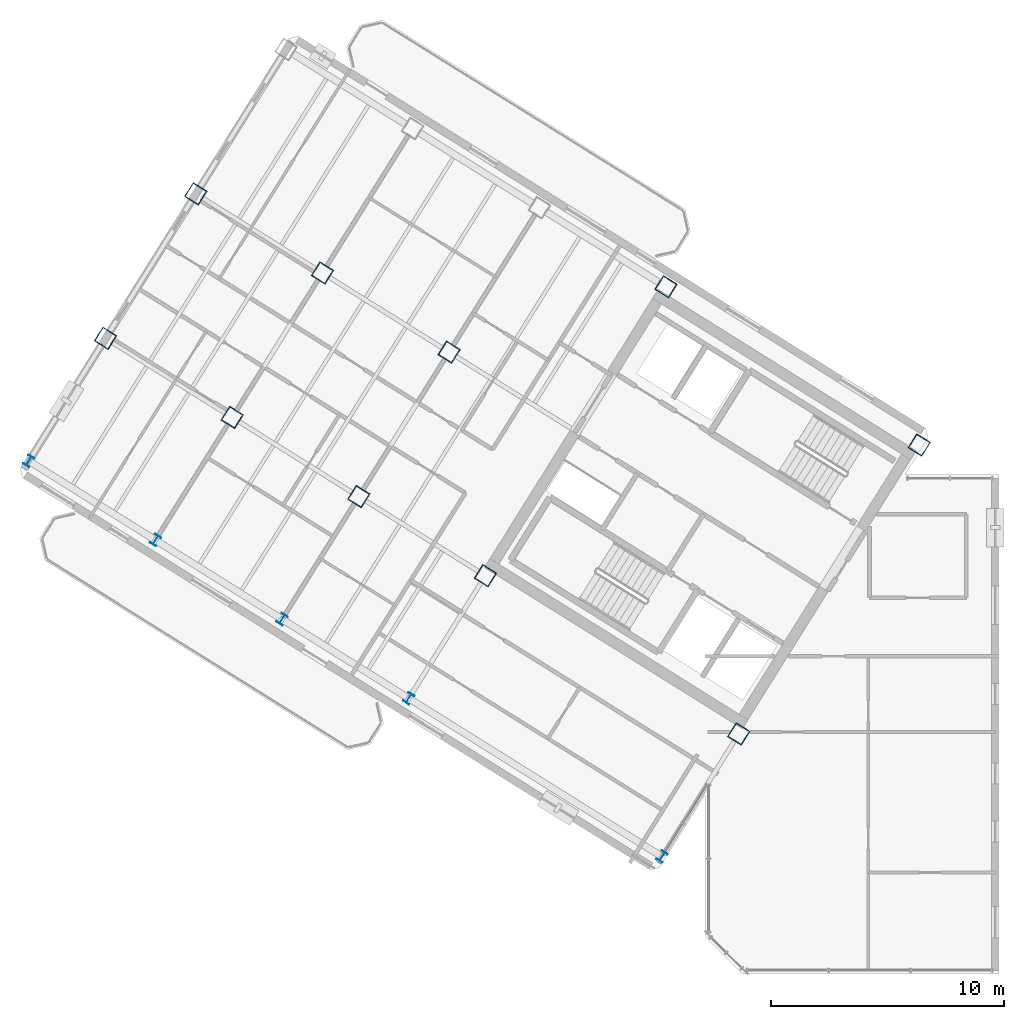
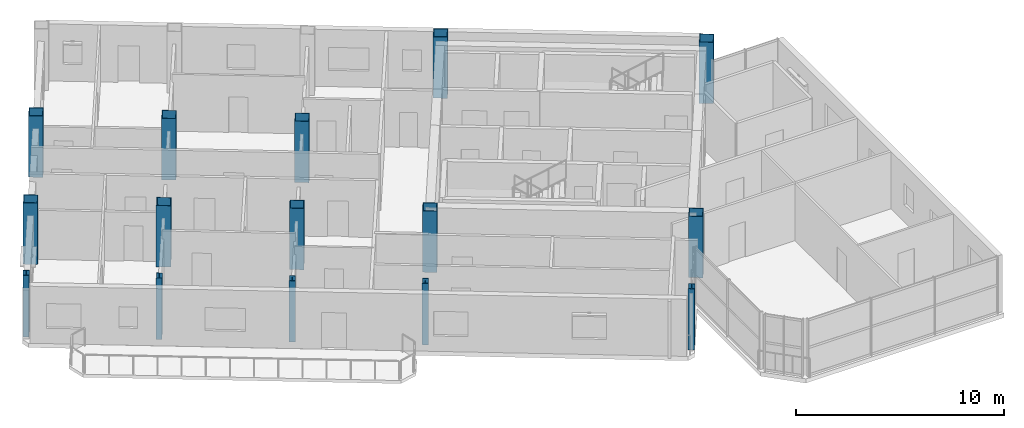
# One storey, part 1 of 15: 15 columns.
"""IFC4 building model written with IfcOpenShell, lengths in metres."""

import ifcopenshell
import ifcopenshell.guid

model = None  # the IFC model being written
_history = None  # IfcOwnerHistory: only IFC2X3 demands one
_inside = {}  # id of a spatial element -> (the spatial element, [elements in it])
_under = {}  # id of a project, library or spatial element -> (it, [spatial elements below it])
_declared = {}  # id of a project -> (the project, [libraries it declares])
_typed = {}  # id of a type object -> (the type object, [elements of that type])
_made_of = {}  # id of a material, layer set ... -> (it, [elements and type objects made of it])


def new_model(schema):
    """Start an empty IFC model of exactly this schema.

    Asked for "IFC4X3", IfcOpenShell would pick the latest addendum, in which some entities
    have other attributes; the version numbers below select the first issue.
    IFC2X3 requires an IfcOwnerHistory on every rooted entity: one is made here for all.
    """
    global model, _history
    if schema == "IFC4X3":
        model = ifcopenshell.file(schema_version=(4, 3, 0, 0))
    else:
        model = ifcopenshell.file(schema=schema)
    _inside.clear()
    _under.clear()
    _declared.clear()
    _typed.clear()
    _made_of.clear()
    _history = None
    if model.schema == "IFC2X3":
        org = make("IfcOrganization", Name="unknown")
        user = make(
            "IfcPersonAndOrganization",
            ThePerson=make("IfcPerson", FamilyName="unknown"),
            TheOrganization=org,
        )
        app = make(
            "IfcApplication",
            ApplicationDeveloper=org,
            Version="unknown",
            ApplicationFullName="unknown",
            ApplicationIdentifier="unknown",
        )
        _history = make(
            "IfcOwnerHistory",
            OwningUser=user,
            OwningApplication=app,
            ChangeAction="ADDED",
            CreationDate=0,
        )
    return model


def make(cls, **values):
    """One entity of the class cls with the attributes given. An attribute that is None is left unset."""
    return model.create_entity(
        cls, **{name: value for name, value in values.items() if value is not None}
    )


def rooted(cls, **values):
    """An entity with a GlobalId (a new one), such as an element, a storey or a relation."""
    return make(cls, GlobalId=ifcopenshell.guid.new(), OwnerHistory=_history, **values)


def si_unit(unit_type, name, prefix=None):
    """IfcSIUnit, for example si_unit("LENGTHUNIT", "METRE", prefix="MILLI")."""
    return make("IfcSIUnit", UnitType=unit_type, Prefix=prefix, Name=name)


def assignment(units):
    """IfcUnitAssignment: the units of a project."""
    return None if units is None else make("IfcUnitAssignment", Units=units)


def point(xyz):
    """IfcCartesianPoint."""
    return None if xyz is None else make("IfcCartesianPoint", Coordinates=xyz)


def direction(xyz):
    """IfcDirection."""
    return None if xyz is None else make("IfcDirection", DirectionRatios=xyz)


def frame(location, z_axis=None, x_axis=None):
    """IfcAxis2Placement3D, a coordinate frame: its origin and axes. An axis left out is left unset."""
    return make(
        "IfcAxis2Placement3D",
        Location=point(location),
        Axis=direction(z_axis),
        RefDirection=direction(x_axis),
    )


def frame_2d(location, x_axis=None):
    """IfcAxis2Placement2D, a coordinate frame in the plane: its origin and x axis."""
    return make(
        "IfcAxis2Placement2D", Location=point(location), RefDirection=direction(x_axis)
    )


def origin():
    """The frame at (0, 0, 0) with its axes left unset."""
    return frame((0.0, 0.0, 0.0))


def origin_2d():
    """The frame at (0, 0) in the plane with its x axis left unset."""
    return frame_2d((0.0, 0.0))


def place(relative_to, where):
    """IfcLocalPlacement: puts the frame where relative to a parent placement (None: the world)."""
    return make(
        "IfcLocalPlacement", PlacementRelTo=relative_to, RelativePlacement=where
    )


def context(
    kind, dimensions, precision=None, world=None, true_north=None, identifier=None
):
    """IfcGeometricRepresentationContext, for example the 3D "Model" context."""
    return make(
        "IfcGeometricRepresentationContext",
        ContextIdentifier=identifier,
        ContextType=kind,
        CoordinateSpaceDimension=dimensions,
        Precision=precision,
        WorldCoordinateSystem=world,
        TrueNorth=true_north,
    )


def subcontext(parent, identifier, kind, view, scale=None):
    """IfcGeometricRepresentationSubContext, for example "Body" below "Model"."""
    return make(
        "IfcGeometricRepresentationSubContext",
        ContextIdentifier=identifier,
        ContextType=kind,
        ParentContext=parent,
        TargetScale=scale,
        TargetView=view,
    )


def project(units=None, contexts=None):
    """IfcProject with its units and contexts."""
    return rooted(
        "IfcProject",
        Name="project",
        RepresentationContexts=contexts,
        UnitsInContext=assignment(units),
    )


def spatial(cls, under=None, at=None, **own):
    """A site, building, storey or space (cls), placed at a placement, below another one or the project."""
    s = rooted(cls, ObjectPlacement=at, **own)
    if under is not None:
        _under.setdefault(under.id(), (under, []))[1].append(s)
    return s


def profile(cls, at=None, kind="AREA", **sizes):
    """A parametric profile (cls). Its sizes go by their IFC names, for example OverallWidth=200.0."""
    return make(cls, ProfileType=kind, Position=at, **sizes)


def hollow_rectangle(**sizes):
    """IfcRectangleHollowProfileDef."""
    return profile("IfcRectangleHollowProfileDef", **sizes)


def i_section(**sizes):
    """IfcIShapeProfileDef."""
    return profile("IfcIShapeProfileDef", **sizes)


def extrude(swept, where, along, depth):
    """IfcExtrudedAreaSolid: the profile swept, set in the frame where, extruded along a direction by depth."""
    return make(
        "IfcExtrudedAreaSolid",
        SweptArea=swept,
        Position=where,
        ExtrudedDirection=direction(along),
        Depth=depth,
    )


def shape(context_of_items, identifier, shape_type, items):
    """IfcShapeRepresentation: the items that make up one representation, for example the "Body"."""
    return make(
        "IfcShapeRepresentation",
        ContextOfItems=context_of_items,
        RepresentationIdentifier=identifier,
        RepresentationType=shape_type,
        Items=items,
    )


def source(mapping_origin, context_of_items, identifier, shape_type, items):
    """IfcRepresentationMap: a shape defined once, which mapped items show again and again."""
    return make(
        "IfcRepresentationMap",
        MappingOrigin=mapping_origin,
        MappedRepresentation=shape(context_of_items, identifier, shape_type, items),
    )


def transform(
    local_origin,
    x_axis=None,
    y_axis=None,
    z_axis=None,
    scale=None,
    scale2=None,
    scale3=None,
    uniform=True,
):
    """IfcCartesianTransformationOperator3D, or its non-uniform kind. x_axis, y_axis, z_axis: its Axis1, 2, 3."""
    if uniform:
        return make(
            "IfcCartesianTransformationOperator3D",
            Axis1=direction(x_axis),
            Axis2=direction(y_axis),
            LocalOrigin=point(local_origin),
            Scale=scale,
            Axis3=direction(z_axis),
        )
    return make(
        "IfcCartesianTransformationOperator3DnonUniform",
        Axis1=direction(x_axis),
        Axis2=direction(y_axis),
        LocalOrigin=point(local_origin),
        Scale=scale,
        Axis3=direction(z_axis),
        Scale2=scale2,
        Scale3=scale3,
    )


def mapped(mapping_source, mapping_target):
    """IfcMappedItem: shows the shape of a source again, moved by a transform."""
    return make(
        "IfcMappedItem", MappingSource=mapping_source, MappingTarget=mapping_target
    )


def material(Name=None, Category=None):
    """IfcMaterial."""
    return make("IfcMaterial", Name=Name, Category=Category)


def material_profile(
    of_material, cross_section, Name=None, Category=None, Priority=None
):
    """IfcMaterialProfile: a cross section and its material."""
    return make(
        "IfcMaterialProfile",
        Name=Name,
        Material=of_material,
        Profile=cross_section,
        Priority=Priority,
        Category=Category,
    )


def profile_set(profiles, Name=None, composite=None):
    """IfcMaterialProfileSet."""
    return make(
        "IfcMaterialProfileSet",
        Name=Name,
        MaterialProfiles=profiles,
        CompositeProfile=composite,
    )


def made_of(thing, what):
    """Note that an element or type object is made of a material, layer set ...; save() writes the relation."""
    if what is not None:
        _made_of.setdefault(what.id(), (what, []))[1].append(thing)
    return thing


def type_object(cls, material=None, **own):
    """A type object (cls), such as IfcWallType, which elements share."""
    return made_of(rooted(cls, **own), material)


def element(
    cls,
    number,
    at=None,
    inside=None,
    cuts=None,
    type_object=None,
    material=None,
    context=None,
    identifier="Body",
    shape_type=None,
    held_by="IfcProductDefinitionShape",
    body=None,
    shapes=None,
    **own,
):
    """One element of the class cls, such as IfcWall. Its Tag is "e" and its number.

    at: its placement. inside: the storey or other place that contains it. cuts: it is an
    opening in that element (IfcRelVoidsElement). A single representation is given by context,
    identifier, shape_type and body (its items); several are given by shapes. held_by: the class
    of the entity that holds the representations. save() writes the other relations.
    """
    e = rooted(cls, Tag="e%d" % number, ObjectPlacement=at, **own)
    if body is not None:
        shapes = [shape(context, identifier, shape_type, body)]
    if shapes is not None:
        e.Representation = make(held_by, Representations=shapes)
    if inside is not None:
        _inside.setdefault(inside.id(), (inside, []))[1].append(e)
    if cuts is not None:
        rooted(
            "IfcRelVoidsElement", RelatingBuildingElement=cuts, RelatedOpeningElement=e
        )
    if type_object is not None:
        _typed.setdefault(type_object.id(), (type_object, []))[1].append(e)
    return made_of(e, material)


def aggregate(whole, parts):
    """IfcRelAggregates: a whole, such as a stair, and the parts it consists of."""
    return rooted("IfcRelAggregates", RelatingObject=whole, RelatedObjects=parts)


def save(model, path):
    """Write the relations noted so far, then the file.

    IfcRelAggregates (storeys below a building ...), IfcRelContainedInSpatialStructure (elements
    in a storey), IfcRelDefinesByType, IfcRelAssociatesMaterial and IfcRelDeclares: one each for
    every whole, place, type object, material and project.
    """
    for whole, parts in _under.values():
        aggregate(whole, parts)
    for where, things in _inside.values():
        rooted(
            "IfcRelContainedInSpatialStructure",
            RelatedElements=things,
            RelatingStructure=where,
        )
    for kind, things in _typed.values():
        rooted("IfcRelDefinesByType", RelatedObjects=things, RelatingType=kind)
    for what, things in _made_of.values():
        rooted("IfcRelAssociatesMaterial", RelatedObjects=things, RelatingMaterial=what)
    for by, libraries in _declared.values():
        rooted("IfcRelDeclares", RelatingContext=by, RelatedDefinitions=libraries)
    model.write(path)


model = new_model("IFC4")

# Units and contexts
model_context = context("Model", 3, precision=1e-05, world=origin(), true_north=direction((0.0, 1.0)))
body_context = subcontext(model_context, "Body", "Model", "MODEL_VIEW")
ifc_project = project(units=[si_unit("LENGTHUNIT", "METRE"), si_unit("AREAUNIT", "SQUARE_METRE"), si_unit("VOLUMEUNIT", "CUBIC_METRE"), si_unit("PLANEANGLEUNIT", "RADIAN"), si_unit("MASSUNIT", "GRAM", prefix="KILO")], contexts=[model_context])

# Site, building, storey
site_placement = place(None, origin())
site = spatial("IfcSite", under=ifc_project, at=site_placement, CompositionType="ELEMENT")
building_placement = place(site_placement, origin())
building = spatial("IfcBuilding", under=site, at=building_placement, Name="Tlacorven Tower", CompositionType="ELEMENT")
storey_placement = place(building_placement, frame((0.0, 0.0, 266.39990234375)))
storey = spatial("IfcBuildingStorey", under=building, at=storey_placement, Name="L67", CompositionType="ELEMENT", Elevation=266.39990234375)

# Columns
ifc_material_1 = material(Name="Steel S355J2", Category="steel")
ifc_material_profile_1 = material_profile(ifc_material_1, i_section(OverallWidth=0.300048828125, OverallDepth=0.449951171875, WebThickness=0.013916015625, FlangeThickness=0.02587890625, at=origin_2d()), Name="HEB 450")
ifc_profile_set_1 = profile_set([ifc_material_profile_1], Name="Steel S355J2")
column_type_1 = type_object("IfcColumnType", Name="COL-TWR-P3", PredefinedType="COLUMN", material=ifc_profile_set_1)
shared_shape_1 = source(origin(), body_context, "Body", "SweptSolid", [
    extrude(i_section(OverallWidth=0.300048828125, OverallDepth=0.449951171875, WebThickness=0.013916015625, FlangeThickness=0.02587890625, at=origin_2d()), origin(), (0.0, 0.0, 1.0), 3.60009765625),
])
for number, where, z_axis, x_axis, name in (
    (1, (29.7607421875, 6.8291015625, 0.0), (0.0, 0.0, 1.0), (-0.848048096156, 0.529919264233, 0.0), "L67 column COL-L67-W1-4"),
    (2, (18.905517578125, 13.612060546875, 0.0), (0.0, 0.0, 1.0), (-0.848048096156, 0.529919264233, 0.0), "L67 column COL-L67-W3-4"),
    (3, (13.47802734375, 17.00341796875, 0.0), (0.0, 0.0, 1.0), (-0.848048096156, 0.529919264233, 0.0), "L67 column COL-L67-W4-4"),
    (4, (8.050537109375, 20.39501953125, 0.0), (0.0, 0.0, 1.0), (-0.848048096156, 0.529919264233, 0.0), "L67 column COL-L67-W5-4"),
    (5, (2.623046875, 23.786376953125, 0.0), (0.0, 0.0, 1.0), (-0.848048096156, 0.529919264233, 0.0), "L67 column COL-L67-W6-4"),
):
    element("IfcColumn", number, at=place(storey_placement, frame(where, z_axis=z_axis, x_axis=x_axis)), inside=storey, type_object=column_type_1, Name=name, PredefinedType="COLUMN", context=body_context, shape_type="MappedRepresentation", body=[
        mapped(shared_shape_1, transform((0.0, 0.0, 0.0), scale=1.0)),
    ])
ifc_material_2 = material(Name="Steel S460M", Category="steel")
ifc_material_profile_2 = material_profile(ifc_material_2, hollow_rectangle(XDim=0.699951171875, YDim=0.699951171875, WallThickness=0.028076171875, at=origin_2d()), Name="BOX 700X700X28")
ifc_profile_set_2 = profile_set([ifc_material_profile_2], Name="Steel S460M")
column_type_2 = type_object("IfcColumnType", Name="COL-TWR-S4", PredefinedType="COLUMN", material=ifc_profile_set_2)
shared_shape_2 = source(origin(), body_context, "Body", "SweptSolid", [
    extrude(hollow_rectangle(XDim=0.699951171875, YDim=0.699951171875, WallThickness=0.028076171875, at=origin_2d()), origin(), (0.0, 0.0, 1.0), 3.60009765625),
])
for number, where, z_axis, x_axis, name in (
    (6, (40.782958984375, 24.468505859375, 0.0), (0.0, 0.0, 1.0), (-0.848048096156, 0.529919264233, 0.0), "L67 column COL-L67-W1-1"),
    (7, (33.046142578125, 12.0869140625, 0.0), (0.0, 0.0, 1.0), (-0.848048096156, 0.529919264233, 0.0), "L67 column COL-L67-W1-3"),
    (8, (29.927978515625, 31.25146484375, 0.0), (0.0, 0.0, 1.0), (-0.848048096156, 0.529919264233, 0.0), "L67 column COL-L67-W3-1"),
    (9, (22.191162109375, 18.869873046875, 0.0), (0.0, 0.0, 1.0), (-0.848048096156, 0.529919264233, 0.0), "L67 column COL-L67-W3-3"),
    (10, (20.632080078125, 28.4521484375, 0.0), (0.0, 0.0, 1.0), (-0.848048096156, 0.529919264233, 0.0), "L67 column COL-L67-W4-2"),
    (11, (16.763671875, 22.26123046875, 0.0), (0.0, 0.0, 1.0), (-0.848048096156, 0.529919264233, 0.0), "L67 column COL-L67-W4-3"),
    (12, (15.20458984375, 31.843505859375, 0.0), (0.0, 0.0, 1.0), (-0.848048096156, 0.529919264233, 0.0), "L67 column COL-L67-W5-2"),
    (13, (11.336181640625, 25.65283203125, 0.0), (0.0, 0.0, 1.0), (-0.848048096156, 0.529919264233, 0.0), "L67 column COL-L67-W5-3"),
    (14, (9.777099609375, 35.235107421875, 0.0), (0.0, 0.0, 1.0), (-0.848048096156, 0.529919264233, 0.0), "L67 column COL-L67-W6-2"),
    (15, (5.90869140625, 29.044189453125, 0.0), (0.0, 0.0, 1.0), (-0.848048096156, 0.529919264233, 0.0), "L67 column COL-L67-W6-3"),
):
    element("IfcColumn", number, at=place(storey_placement, frame(where, z_axis=z_axis, x_axis=x_axis)), inside=storey, type_object=column_type_2, Name=name, PredefinedType="COLUMN", context=body_context, shape_type="MappedRepresentation", body=[
        mapped(shared_shape_2, transform((0.0, 0.0, 0.0), scale=1.0)),
    ])

save(model, "model.ifc")
